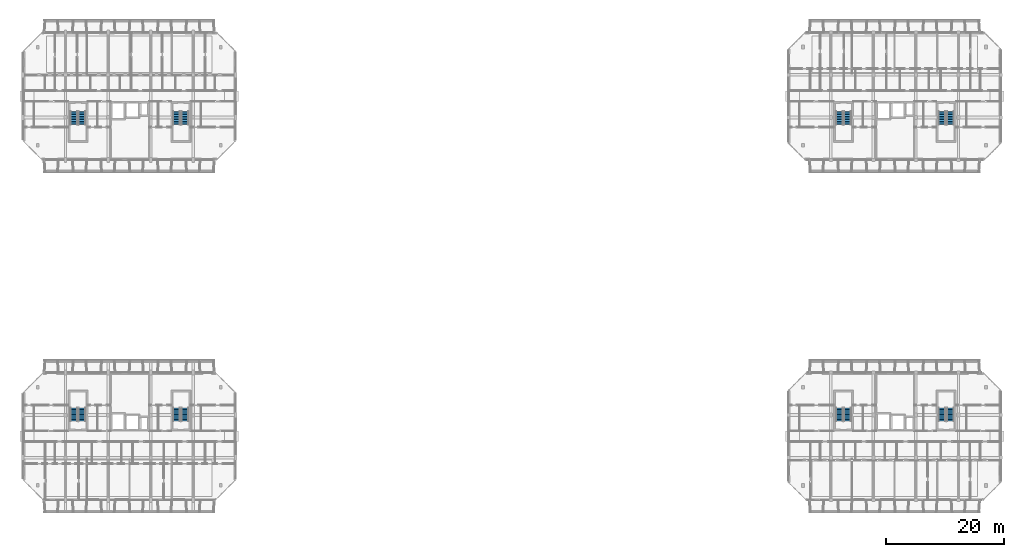
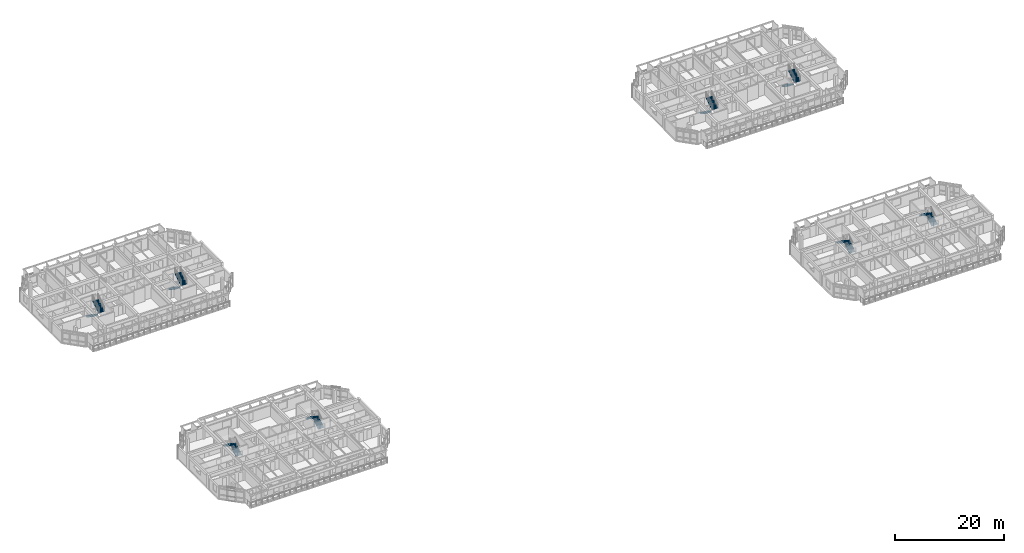
# One storey, part 31 of 46: 16 stair flights, 8 elements without a shape of their own.
"""IFC4 building model written with IfcOpenShell, lengths in metres."""

from ifc_helpers import new_model, si_unit, direction, frame, origin, place, context, subcontext, project, spatial, polyline, outline, extrude, material, type_object, element, aggregate, save


model = new_model("IFC4")

# Units and contexts
model_context = context("Model", 3, precision=1e-05, world=origin(), true_north=direction((0.0, 1.0)))
body_context = subcontext(model_context, "Body", "Model", "MODEL_VIEW")
ifc_project = project(units=[si_unit("LENGTHUNIT", "METRE"), si_unit("AREAUNIT", "SQUARE_METRE"), si_unit("VOLUMEUNIT", "CUBIC_METRE"), si_unit("PLANEANGLEUNIT", "RADIAN"), si_unit("MASSUNIT", "GRAM", prefix="KILO")], contexts=[model_context])

# Site, building, storey
site_placement = place(None, origin())
site = spatial("IfcSite", under=ifc_project, at=site_placement, CompositionType="ELEMENT")
building_placement = place(site_placement, origin())
building = spatial("IfcBuilding", under=site, at=building_placement, Name="Ochrevale Crest", CompositionType="ELEMENT")
storey_placement = place(building_placement, frame((0.0, 0.0, 24.449951171875)))
storey = spatial("IfcBuildingStorey", under=building, at=storey_placement, Name="L07", CompositionType="ELEMENT", Elevation=24.449951171875)

# Stair, stair flights
ifc_material = material(Name="Precast concrete C40/50", Category="concrete")
stair_type = type_object("IfcStairType", Name="ST-CORE-DOG", PredefinedType="HALF_TURN_STAIR", material=ifc_material)
stair_1_placement = place(storey_placement, origin())
stair_1 = element("IfcStair", 1, at=stair_1_placement, inside=storey, type_object=stair_type, Name="L07 Block A Fire Stair 1", PredefinedType="HALF_TURN_STAIR")
stair_flight_type = type_object("IfcStairFlightType", Name="SFL-CORE-125", PredefinedType="STRAIGHT", material=ifc_material)
stair_flight_1_placement = place(storey_placement, frame((10.02490234375, 27.77490234375, 0.0), z_axis=(0.0, 0.0, 1.0), x_axis=(0.0, 1.0, 0.0)))
stair_flight_1 = element("IfcStairFlight", 2, at=stair_flight_1_placement, type_object=stair_flight_type, Name="ST-A1 flight 1", NumberOfRisers=9, NumberOfTreads=8, PredefinedType="STRAIGHT", RiserHeight=0.175, TreadLength=0.28, context=body_context, shape_type="SweptSolid", body=[
    extrude(outline(polyline([(0.0, 0.0), (0.0, 0.175048828125), (0.280029296875, 0.175048828125), (0.280029296875, 0.35009765625), (0.56005859375, 0.35009765625), (0.56005859375, 0.52490234375), (0.840087890625, 0.52490234375), (0.840087890625, 0.699951171875), (1.1201171875, 0.699951171875), (1.1201171875, 0.875), (1.39990234375, 0.875), (1.39990234375, 1.050048828125), (1.679931640625, 1.050048828125), (1.679931640625, 1.22509765625), (1.9599609375, 1.22509765625), (1.9599609375, 1.39990234375), (2.239990234375, 1.39990234375), (2.239990234375, 1.574951171875), (2.239990234375, 1.22314453125), (0.28271484375, 0.0), (0.0, 0.0)])), frame((0.0, 0.625, 0.0), z_axis=(0.0, -1.0, 0.0), x_axis=(1.0, 0.0, 0.0)), (0.0, 0.0, 1.0), 1.25),
])
stair_flight_2_placement = place(storey_placement, frame((8.625, 30.014892578125, 1.574951171875), z_axis=(0.0, 0.0, 1.0), x_axis=(0.0, -1.0, 0.0)))
stair_flight_2 = element("IfcStairFlight", 3, at=stair_flight_2_placement, type_object=stair_flight_type, Name="ST-A1 flight 2", NumberOfRisers=9, NumberOfTreads=8, PredefinedType="STRAIGHT", RiserHeight=0.175, TreadLength=0.28, context=body_context, shape_type="SweptSolid", body=[
    extrude(outline(polyline([(0.0, 0.0), (0.0, 0.175048828125), (0.280029296875, 0.175048828125), (0.280029296875, 0.35009765625), (0.56005859375, 0.35009765625), (0.56005859375, 0.52490234375), (0.840087890625, 0.52490234375), (0.840087890625, 0.699951171875), (1.1201171875, 0.699951171875), (1.1201171875, 0.875), (1.39990234375, 0.875), (1.39990234375, 1.050048828125), (1.679931640625, 1.050048828125), (1.679931640625, 1.22509765625), (1.9599609375, 1.22509765625), (1.9599609375, 1.39990234375), (2.239990234375, 1.39990234375), (2.239990234375, 1.574951171875), (2.239990234375, 1.22314453125), (0.28271484375, 0.0), (0.0, 0.0)])), frame((0.0, 0.625, 0.0), z_axis=(0.0, -1.0, 0.0), x_axis=(1.0, 0.0, 0.0)), (0.0, 0.0, 1.0), 1.25),
])
aggregate(stair_1, [stair_flight_1, stair_flight_2])

stair_2_placement = place(storey_placement, origin())
stair_2 = element("IfcStair", 4, at=stair_2_placement, inside=storey, type_object=stair_type, Name="L07 Block A Fire Stair 2", PredefinedType="HALF_TURN_STAIR")
stair_flight_3_placement = place(storey_placement, frame((27.425048828125, 27.77490234375, 0.0), z_axis=(0.0, 0.0, 1.0), x_axis=(0.0, 1.0, 0.0)))
stair_flight_3 = element("IfcStairFlight", 5, at=stair_flight_3_placement, type_object=stair_flight_type, Name="ST-A2 flight 1", NumberOfRisers=9, NumberOfTreads=8, PredefinedType="STRAIGHT", RiserHeight=0.175, TreadLength=0.28, context=body_context, shape_type="SweptSolid", body=[
    extrude(outline(polyline([(0.0, 0.0), (0.0, 0.175048828125), (0.280029296875, 0.175048828125), (0.280029296875, 0.35009765625), (0.56005859375, 0.35009765625), (0.56005859375, 0.52490234375), (0.840087890625, 0.52490234375), (0.840087890625, 0.699951171875), (1.1201171875, 0.699951171875), (1.1201171875, 0.875), (1.39990234375, 0.875), (1.39990234375, 1.050048828125), (1.679931640625, 1.050048828125), (1.679931640625, 1.22509765625), (1.9599609375, 1.22509765625), (1.9599609375, 1.39990234375), (2.239990234375, 1.39990234375), (2.239990234375, 1.574951171875), (2.239990234375, 1.22314453125), (0.28271484375, 0.0), (0.0, 0.0)])), frame((0.0, 0.625, 0.0), z_axis=(0.0, -1.0, 0.0), x_axis=(1.0, 0.0, 0.0)), (0.0, 0.0, 1.0), 1.25),
])
stair_flight_4_placement = place(storey_placement, frame((26.02490234375, 30.014892578125, 1.574951171875), z_axis=(0.0, 0.0, 1.0), x_axis=(0.0, -1.0, 0.0)))
stair_flight_4 = element("IfcStairFlight", 6, at=stair_flight_4_placement, type_object=stair_flight_type, Name="ST-A2 flight 2", NumberOfRisers=9, NumberOfTreads=8, PredefinedType="STRAIGHT", RiserHeight=0.175, TreadLength=0.28, context=body_context, shape_type="SweptSolid", body=[
    extrude(outline(polyline([(0.0, 0.0), (0.0, 0.175048828125), (0.280029296875, 0.175048828125), (0.280029296875, 0.35009765625), (0.56005859375, 0.35009765625), (0.56005859375, 0.52490234375), (0.840087890625, 0.52490234375), (0.840087890625, 0.699951171875), (1.1201171875, 0.699951171875), (1.1201171875, 0.875), (1.39990234375, 0.875), (1.39990234375, 1.050048828125), (1.679931640625, 1.050048828125), (1.679931640625, 1.22509765625), (1.9599609375, 1.22509765625), (1.9599609375, 1.39990234375), (2.239990234375, 1.39990234375), (2.239990234375, 1.574951171875), (2.239990234375, 1.22314453125), (0.28271484375, 0.0), (0.0, 0.0)])), frame((0.0, 0.625, 0.0), z_axis=(0.0, -1.0, 0.0), x_axis=(1.0, 0.0, 0.0)), (0.0, 0.0, 1.0), 1.25),
])
aggregate(stair_2, [stair_flight_3, stair_flight_4])

stair_3_placement = place(storey_placement, origin())
stair_3 = element("IfcStair", 7, at=stair_3_placement, inside=storey, type_object=stair_type, Name="L07 Block B Fire Stair 1", PredefinedType="HALF_TURN_STAIR")
stair_flight_5_placement = place(storey_placement, frame((8.625, 80.22509765625, 0.0), z_axis=(0.0, 0.0, 1.0), x_axis=(0.0, -1.0, 0.0)))
stair_flight_5 = element("IfcStairFlight", 8, at=stair_flight_5_placement, type_object=stair_flight_type, Name="ST-B1 flight 1", NumberOfRisers=9, NumberOfTreads=8, PredefinedType="STRAIGHT", RiserHeight=0.175, TreadLength=0.28, context=body_context, shape_type="SweptSolid", body=[
    extrude(outline(polyline([(0.0, 0.0), (0.0, 0.175048828125), (0.280029296875, 0.175048828125), (0.280029296875, 0.35009765625), (0.56005859375, 0.35009765625), (0.56005859375, 0.52490234375), (0.840087890625, 0.52490234375), (0.840087890625, 0.699951171875), (1.1201171875, 0.699951171875), (1.1201171875, 0.875), (1.39990234375, 0.875), (1.39990234375, 1.050048828125), (1.679931640625, 1.050048828125), (1.679931640625, 1.22509765625), (1.9599609375, 1.22509765625), (1.9599609375, 1.39990234375), (2.239990234375, 1.39990234375), (2.239990234375, 1.574951171875), (2.239990234375, 1.22314453125), (0.28271484375, 0.0), (0.0, 0.0)])), frame((0.0, 0.625, 0.0), z_axis=(0.0, -1.0, 0.0), x_axis=(1.0, 0.0, 0.0)), (0.0, 0.0, 1.0), 1.25),
])
stair_flight_6_placement = place(storey_placement, frame((10.02490234375, 77.985107421875, 1.574951171875), z_axis=(0.0, 0.0, 1.0), x_axis=(0.0, 1.0, 0.0)))
stair_flight_6 = element("IfcStairFlight", 9, at=stair_flight_6_placement, type_object=stair_flight_type, Name="ST-B1 flight 2", NumberOfRisers=9, NumberOfTreads=8, PredefinedType="STRAIGHT", RiserHeight=0.175, TreadLength=0.28, context=body_context, shape_type="SweptSolid", body=[
    extrude(outline(polyline([(0.0, 0.0), (0.0, 0.175048828125), (0.280029296875, 0.175048828125), (0.280029296875, 0.35009765625), (0.56005859375, 0.35009765625), (0.56005859375, 0.52490234375), (0.840087890625, 0.52490234375), (0.840087890625, 0.699951171875), (1.1201171875, 0.699951171875), (1.1201171875, 0.875), (1.39990234375, 0.875), (1.39990234375, 1.050048828125), (1.679931640625, 1.050048828125), (1.679931640625, 1.22509765625), (1.9599609375, 1.22509765625), (1.9599609375, 1.39990234375), (2.239990234375, 1.39990234375), (2.239990234375, 1.574951171875), (2.239990234375, 1.22314453125), (0.28271484375, 0.0), (0.0, 0.0)])), frame((0.0, 0.625, 0.0), z_axis=(0.0, -1.0, 0.0), x_axis=(1.0, 0.0, 0.0)), (0.0, 0.0, 1.0), 1.25),
])
aggregate(stair_3, [stair_flight_5, stair_flight_6])

stair_4_placement = place(storey_placement, origin())
stair_4 = element("IfcStair", 10, at=stair_4_placement, inside=storey, type_object=stair_type, Name="L07 Block B Fire Stair 2", PredefinedType="HALF_TURN_STAIR")
stair_flight_7_placement = place(storey_placement, frame((26.02490234375, 80.22509765625, 0.0), z_axis=(0.0, 0.0, 1.0), x_axis=(0.0, -1.0, 0.0)))
stair_flight_7 = element("IfcStairFlight", 11, at=stair_flight_7_placement, type_object=stair_flight_type, Name="ST-B2 flight 1", NumberOfRisers=9, NumberOfTreads=8, PredefinedType="STRAIGHT", RiserHeight=0.175, TreadLength=0.28, context=body_context, shape_type="SweptSolid", body=[
    extrude(outline(polyline([(0.0, 0.0), (0.0, 0.175048828125), (0.280029296875, 0.175048828125), (0.280029296875, 0.35009765625), (0.56005859375, 0.35009765625), (0.56005859375, 0.52490234375), (0.840087890625, 0.52490234375), (0.840087890625, 0.699951171875), (1.1201171875, 0.699951171875), (1.1201171875, 0.875), (1.39990234375, 0.875), (1.39990234375, 1.050048828125), (1.679931640625, 1.050048828125), (1.679931640625, 1.22509765625), (1.9599609375, 1.22509765625), (1.9599609375, 1.39990234375), (2.239990234375, 1.39990234375), (2.239990234375, 1.574951171875), (2.239990234375, 1.22314453125), (0.28271484375, 0.0), (0.0, 0.0)])), frame((0.0, 0.625, 0.0), z_axis=(0.0, -1.0, 0.0), x_axis=(1.0, 0.0, 0.0)), (0.0, 0.0, 1.0), 1.25),
])
stair_flight_8_placement = place(storey_placement, frame((27.425048828125, 77.985107421875, 1.574951171875), z_axis=(0.0, 0.0, 1.0), x_axis=(0.0, 1.0, 0.0)))
stair_flight_8 = element("IfcStairFlight", 12, at=stair_flight_8_placement, type_object=stair_flight_type, Name="ST-B2 flight 2", NumberOfRisers=9, NumberOfTreads=8, PredefinedType="STRAIGHT", RiserHeight=0.175, TreadLength=0.28, context=body_context, shape_type="SweptSolid", body=[
    extrude(outline(polyline([(0.0, 0.0), (0.0, 0.175048828125), (0.280029296875, 0.175048828125), (0.280029296875, 0.35009765625), (0.56005859375, 0.35009765625), (0.56005859375, 0.52490234375), (0.840087890625, 0.52490234375), (0.840087890625, 0.699951171875), (1.1201171875, 0.699951171875), (1.1201171875, 0.875), (1.39990234375, 0.875), (1.39990234375, 1.050048828125), (1.679931640625, 1.050048828125), (1.679931640625, 1.22509765625), (1.9599609375, 1.22509765625), (1.9599609375, 1.39990234375), (2.239990234375, 1.39990234375), (2.239990234375, 1.574951171875), (2.239990234375, 1.22314453125), (0.28271484375, 0.0), (0.0, 0.0)])), frame((0.0, 0.625, 0.0), z_axis=(0.0, -1.0, 0.0), x_axis=(1.0, 0.0, 0.0)), (0.0, 0.0, 1.0), 1.25),
])
aggregate(stair_4, [stair_flight_7, stair_flight_8])

stair_5_placement = place(storey_placement, origin())
stair_5 = element("IfcStair", 13, at=stair_5_placement, inside=storey, type_object=stair_type, Name="L07 Block C Fire Stair 1", PredefinedType="HALF_TURN_STAIR")
stair_flight_9_placement = place(storey_placement, frame((139.625, 27.77490234375, 0.0), z_axis=(0.0, 0.0, 1.0), x_axis=(0.0, 1.0, 0.0)))
stair_flight_9 = element("IfcStairFlight", 14, at=stair_flight_9_placement, type_object=stair_flight_type, Name="ST-C1 flight 1", NumberOfRisers=9, NumberOfTreads=8, PredefinedType="STRAIGHT", RiserHeight=0.175, TreadLength=0.28, context=body_context, shape_type="SweptSolid", body=[
    extrude(outline(polyline([(0.0, 0.0), (0.0, 0.175048828125), (0.280029296875, 0.175048828125), (0.280029296875, 0.35009765625), (0.56005859375, 0.35009765625), (0.56005859375, 0.52490234375), (0.840087890625, 0.52490234375), (0.840087890625, 0.699951171875), (1.1201171875, 0.699951171875), (1.1201171875, 0.875), (1.39990234375, 0.875), (1.39990234375, 1.050048828125), (1.679931640625, 1.050048828125), (1.679931640625, 1.22509765625), (1.9599609375, 1.22509765625), (1.9599609375, 1.39990234375), (2.239990234375, 1.39990234375), (2.239990234375, 1.574951171875), (2.239990234375, 1.22314453125), (0.28271484375, 0.0), (0.0, 0.0)])), frame((0.0, 0.625, 0.0), z_axis=(0.0, -1.0, 0.0), x_axis=(1.0, 0.0, 0.0)), (0.0, 0.0, 1.0), 1.25),
])
stair_flight_10_placement = place(storey_placement, frame((138.22509765625, 30.014892578125, 1.574951171875), z_axis=(0.0, 0.0, 1.0), x_axis=(0.0, -1.0, 0.0)))
stair_flight_10 = element("IfcStairFlight", 15, at=stair_flight_10_placement, type_object=stair_flight_type, Name="ST-C1 flight 2", NumberOfRisers=9, NumberOfTreads=8, PredefinedType="STRAIGHT", RiserHeight=0.175, TreadLength=0.28, context=body_context, shape_type="SweptSolid", body=[
    extrude(outline(polyline([(0.0, 0.0), (0.0, 0.175048828125), (0.280029296875, 0.175048828125), (0.280029296875, 0.35009765625), (0.56005859375, 0.35009765625), (0.56005859375, 0.52490234375), (0.840087890625, 0.52490234375), (0.840087890625, 0.699951171875), (1.1201171875, 0.699951171875), (1.1201171875, 0.875), (1.39990234375, 0.875), (1.39990234375, 1.050048828125), (1.679931640625, 1.050048828125), (1.679931640625, 1.22509765625), (1.9599609375, 1.22509765625), (1.9599609375, 1.39990234375), (2.239990234375, 1.39990234375), (2.239990234375, 1.574951171875), (2.239990234375, 1.22314453125), (0.28271484375, 0.0), (0.0, 0.0)])), frame((0.0, 0.625, 0.0), z_axis=(0.0, -1.0, 0.0), x_axis=(1.0, 0.0, 0.0)), (0.0, 0.0, 1.0), 1.25),
])
aggregate(stair_5, [stair_flight_9, stair_flight_10])

stair_6_placement = place(storey_placement, origin())
stair_6 = element("IfcStair", 16, at=stair_6_placement, inside=storey, type_object=stair_type, Name="L07 Block C Fire Stair 2", PredefinedType="HALF_TURN_STAIR")
stair_flight_11_placement = place(storey_placement, frame((157.02490234375, 27.77490234375, 0.0), z_axis=(0.0, 0.0, 1.0), x_axis=(0.0, 1.0, 0.0)))
stair_flight_11 = element("IfcStairFlight", 17, at=stair_flight_11_placement, type_object=stair_flight_type, Name="ST-C2 flight 1", NumberOfRisers=9, NumberOfTreads=8, PredefinedType="STRAIGHT", RiserHeight=0.175, TreadLength=0.28, context=body_context, shape_type="SweptSolid", body=[
    extrude(outline(polyline([(0.0, 0.0), (0.0, 0.175048828125), (0.280029296875, 0.175048828125), (0.280029296875, 0.35009765625), (0.56005859375, 0.35009765625), (0.56005859375, 0.52490234375), (0.840087890625, 0.52490234375), (0.840087890625, 0.699951171875), (1.1201171875, 0.699951171875), (1.1201171875, 0.875), (1.39990234375, 0.875), (1.39990234375, 1.050048828125), (1.679931640625, 1.050048828125), (1.679931640625, 1.22509765625), (1.9599609375, 1.22509765625), (1.9599609375, 1.39990234375), (2.239990234375, 1.39990234375), (2.239990234375, 1.574951171875), (2.239990234375, 1.22314453125), (0.28271484375, 0.0), (0.0, 0.0)])), frame((0.0, 0.625, 0.0), z_axis=(0.0, -1.0, 0.0), x_axis=(1.0, 0.0, 0.0)), (0.0, 0.0, 1.0), 1.25),
])
stair_flight_12_placement = place(storey_placement, frame((155.625, 30.014892578125, 1.574951171875), z_axis=(0.0, 0.0, 1.0), x_axis=(0.0, -1.0, 0.0)))
stair_flight_12 = element("IfcStairFlight", 18, at=stair_flight_12_placement, type_object=stair_flight_type, Name="ST-C2 flight 2", NumberOfRisers=9, NumberOfTreads=8, PredefinedType="STRAIGHT", RiserHeight=0.175, TreadLength=0.28, context=body_context, shape_type="SweptSolid", body=[
    extrude(outline(polyline([(0.0, 0.0), (0.0, 0.175048828125), (0.280029296875, 0.175048828125), (0.280029296875, 0.35009765625), (0.56005859375, 0.35009765625), (0.56005859375, 0.52490234375), (0.840087890625, 0.52490234375), (0.840087890625, 0.699951171875), (1.1201171875, 0.699951171875), (1.1201171875, 0.875), (1.39990234375, 0.875), (1.39990234375, 1.050048828125), (1.679931640625, 1.050048828125), (1.679931640625, 1.22509765625), (1.9599609375, 1.22509765625), (1.9599609375, 1.39990234375), (2.239990234375, 1.39990234375), (2.239990234375, 1.574951171875), (2.239990234375, 1.22314453125), (0.28271484375, 0.0), (0.0, 0.0)])), frame((0.0, 0.625, 0.0), z_axis=(0.0, -1.0, 0.0), x_axis=(1.0, 0.0, 0.0)), (0.0, 0.0, 1.0), 1.25),
])
aggregate(stair_6, [stair_flight_11, stair_flight_12])

stair_7_placement = place(storey_placement, origin())
stair_7 = element("IfcStair", 19, at=stair_7_placement, inside=storey, type_object=stair_type, Name="L07 Block D Fire Stair 1", PredefinedType="HALF_TURN_STAIR")
stair_flight_13_placement = place(storey_placement, frame((138.22509765625, 80.22509765625, 0.0), z_axis=(0.0, 0.0, 1.0), x_axis=(0.0, -1.0, 0.0)))
stair_flight_13 = element("IfcStairFlight", 20, at=stair_flight_13_placement, type_object=stair_flight_type, Name="ST-D1 flight 1", NumberOfRisers=9, NumberOfTreads=8, PredefinedType="STRAIGHT", RiserHeight=0.175, TreadLength=0.28, context=body_context, shape_type="SweptSolid", body=[
    extrude(outline(polyline([(0.0, 0.0), (0.0, 0.175048828125), (0.280029296875, 0.175048828125), (0.280029296875, 0.35009765625), (0.56005859375, 0.35009765625), (0.56005859375, 0.52490234375), (0.840087890625, 0.52490234375), (0.840087890625, 0.699951171875), (1.1201171875, 0.699951171875), (1.1201171875, 0.875), (1.39990234375, 0.875), (1.39990234375, 1.050048828125), (1.679931640625, 1.050048828125), (1.679931640625, 1.22509765625), (1.9599609375, 1.22509765625), (1.9599609375, 1.39990234375), (2.239990234375, 1.39990234375), (2.239990234375, 1.574951171875), (2.239990234375, 1.22314453125), (0.28271484375, 0.0), (0.0, 0.0)])), frame((0.0, 0.625, 0.0), z_axis=(0.0, -1.0, 0.0), x_axis=(1.0, 0.0, 0.0)), (0.0, 0.0, 1.0), 1.25),
])
stair_flight_14_placement = place(storey_placement, frame((139.625, 77.985107421875, 1.574951171875), z_axis=(0.0, 0.0, 1.0), x_axis=(0.0, 1.0, 0.0)))
stair_flight_14 = element("IfcStairFlight", 21, at=stair_flight_14_placement, type_object=stair_flight_type, Name="ST-D1 flight 2", NumberOfRisers=9, NumberOfTreads=8, PredefinedType="STRAIGHT", RiserHeight=0.175, TreadLength=0.28, context=body_context, shape_type="SweptSolid", body=[
    extrude(outline(polyline([(0.0, 0.0), (0.0, 0.175048828125), (0.280029296875, 0.175048828125), (0.280029296875, 0.35009765625), (0.56005859375, 0.35009765625), (0.56005859375, 0.52490234375), (0.840087890625, 0.52490234375), (0.840087890625, 0.699951171875), (1.1201171875, 0.699951171875), (1.1201171875, 0.875), (1.39990234375, 0.875), (1.39990234375, 1.050048828125), (1.679931640625, 1.050048828125), (1.679931640625, 1.22509765625), (1.9599609375, 1.22509765625), (1.9599609375, 1.39990234375), (2.239990234375, 1.39990234375), (2.239990234375, 1.574951171875), (2.239990234375, 1.22314453125), (0.28271484375, 0.0), (0.0, 0.0)])), frame((0.0, 0.625, 0.0), z_axis=(0.0, -1.0, 0.0), x_axis=(1.0, 0.0, 0.0)), (0.0, 0.0, 1.0), 1.25),
])
aggregate(stair_7, [stair_flight_13, stair_flight_14])

stair_8_placement = place(storey_placement, origin())
stair_8 = element("IfcStair", 22, at=stair_8_placement, inside=storey, type_object=stair_type, Name="L07 Block D Fire Stair 2", PredefinedType="HALF_TURN_STAIR")
stair_flight_15_placement = place(storey_placement, frame((155.625, 80.22509765625, 0.0), z_axis=(0.0, 0.0, 1.0), x_axis=(0.0, -1.0, 0.0)))
stair_flight_15 = element("IfcStairFlight", 23, at=stair_flight_15_placement, type_object=stair_flight_type, Name="ST-D2 flight 1", NumberOfRisers=9, NumberOfTreads=8, PredefinedType="STRAIGHT", RiserHeight=0.175, TreadLength=0.28, context=body_context, shape_type="SweptSolid", body=[
    extrude(outline(polyline([(0.0, 0.0), (0.0, 0.175048828125), (0.280029296875, 0.175048828125), (0.280029296875, 0.35009765625), (0.56005859375, 0.35009765625), (0.56005859375, 0.52490234375), (0.840087890625, 0.52490234375), (0.840087890625, 0.699951171875), (1.1201171875, 0.699951171875), (1.1201171875, 0.875), (1.39990234375, 0.875), (1.39990234375, 1.050048828125), (1.679931640625, 1.050048828125), (1.679931640625, 1.22509765625), (1.9599609375, 1.22509765625), (1.9599609375, 1.39990234375), (2.239990234375, 1.39990234375), (2.239990234375, 1.574951171875), (2.239990234375, 1.22314453125), (0.28271484375, 0.0), (0.0, 0.0)])), frame((0.0, 0.625, 0.0), z_axis=(0.0, -1.0, 0.0), x_axis=(1.0, 0.0, 0.0)), (0.0, 0.0, 1.0), 1.25),
])
stair_flight_16_placement = place(storey_placement, frame((157.02490234375, 77.985107421875, 1.574951171875), z_axis=(0.0, 0.0, 1.0), x_axis=(0.0, 1.0, 0.0)))
stair_flight_16 = element("IfcStairFlight", 24, at=stair_flight_16_placement, type_object=stair_flight_type, Name="ST-D2 flight 2", NumberOfRisers=9, NumberOfTreads=8, PredefinedType="STRAIGHT", RiserHeight=0.175, TreadLength=0.28, context=body_context, shape_type="SweptSolid", body=[
    extrude(outline(polyline([(0.0, 0.0), (0.0, 0.175048828125), (0.280029296875, 0.175048828125), (0.280029296875, 0.35009765625), (0.56005859375, 0.35009765625), (0.56005859375, 0.52490234375), (0.840087890625, 0.52490234375), (0.840087890625, 0.699951171875), (1.1201171875, 0.699951171875), (1.1201171875, 0.875), (1.39990234375, 0.875), (1.39990234375, 1.050048828125), (1.679931640625, 1.050048828125), (1.679931640625, 1.22509765625), (1.9599609375, 1.22509765625), (1.9599609375, 1.39990234375), (2.239990234375, 1.39990234375), (2.239990234375, 1.574951171875), (2.239990234375, 1.22314453125), (0.28271484375, 0.0), (0.0, 0.0)])), frame((0.0, 0.625, 0.0), z_axis=(0.0, -1.0, 0.0), x_axis=(1.0, 0.0, 0.0)), (0.0, 0.0, 1.0), 1.25),
])
aggregate(stair_8, [stair_flight_15, stair_flight_16])

save(model, "model.ifc")
